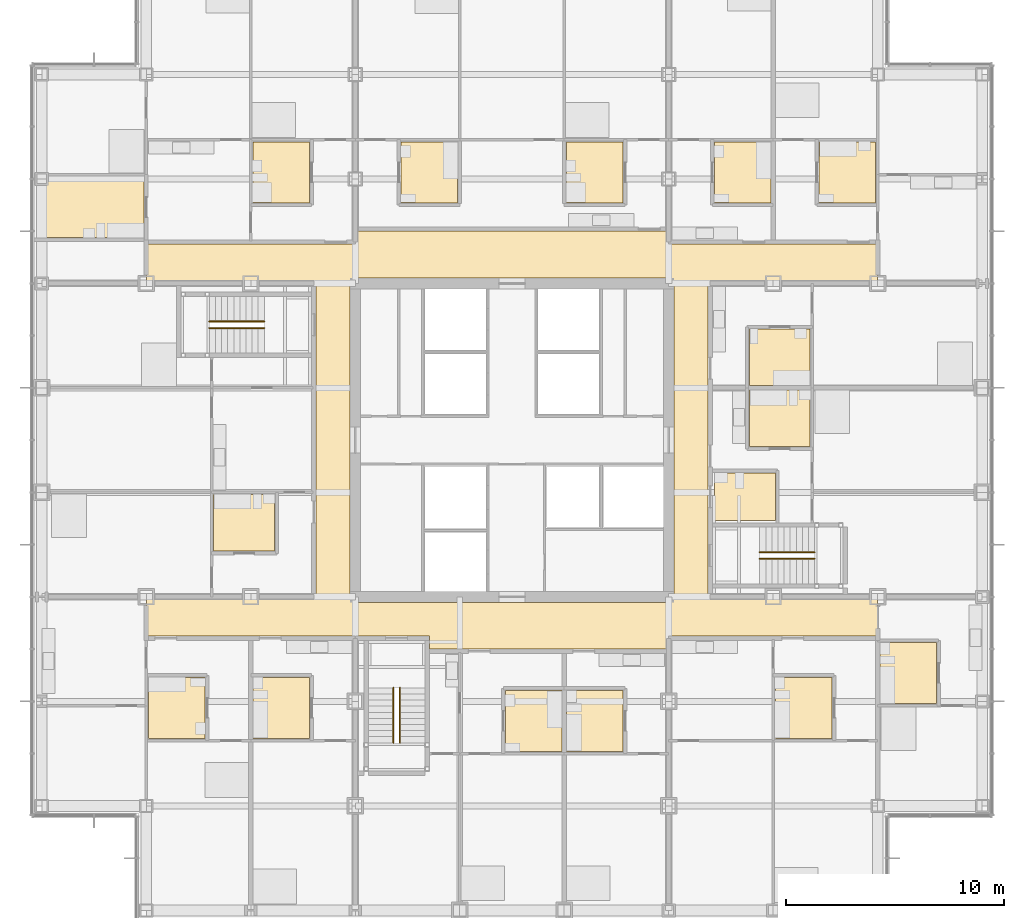
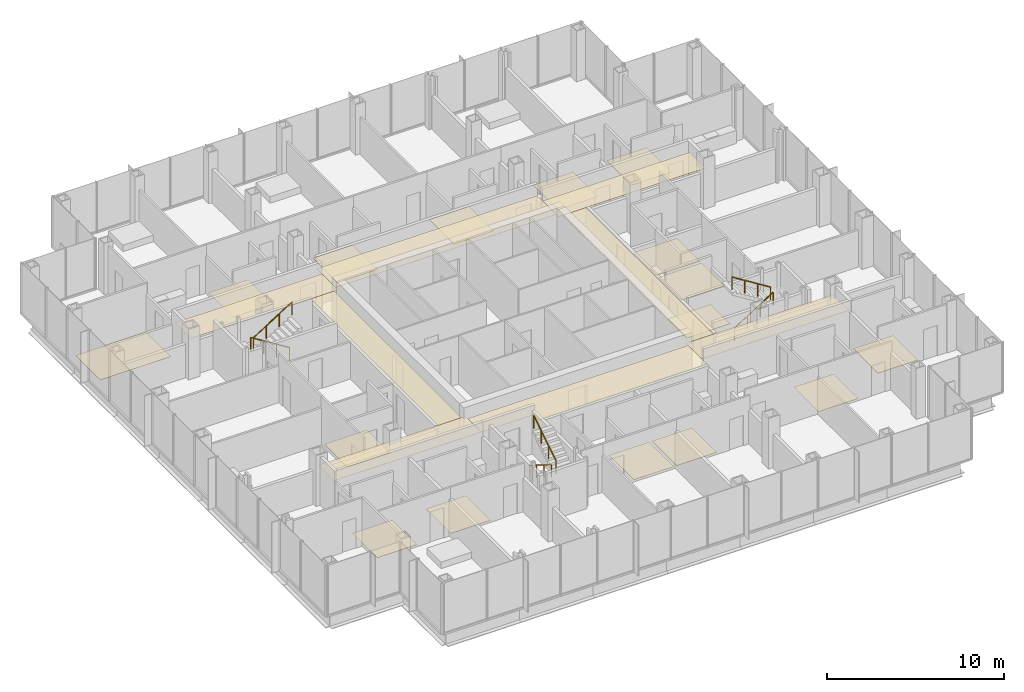
# One storey, part 19 of 21: 24 coverings, 6 railings.
"""IFC4 building model written with IfcOpenShell, lengths in metres."""

from ifc_helpers import new_model, si_unit, direction, frame, origin, origin_2d, place, context, subcontext, project, spatial, polyline, circle, outline, extrude, material, layer, layer_set, type_object, element, save


model = new_model("IFC4")

# Units and contexts
model_context = context("Model", 3, precision=1e-05, world=origin(), true_north=direction((0.0, 1.0)))
body_context = subcontext(model_context, "Body", "Model", "MODEL_VIEW")
ifc_project = project(units=[si_unit("LENGTHUNIT", "METRE"), si_unit("AREAUNIT", "SQUARE_METRE"), si_unit("VOLUMEUNIT", "CUBIC_METRE"), si_unit("PLANEANGLEUNIT", "RADIAN"), si_unit("MASSUNIT", "GRAM", prefix="KILO")], contexts=[model_context])

# Site, building, storey
site_placement = place(None, origin())
site = spatial("IfcSite", under=ifc_project, at=site_placement, CompositionType="ELEMENT")
building_placement = place(site_placement, origin())
building = spatial("IfcBuilding", under=site, at=building_placement, Name="Kvirike Care Tower", CompositionType="ELEMENT")
storey_placement = place(building_placement, frame((0.0, 0.0, 44.5)))
storey = spatial("IfcBuildingStorey", under=building, at=storey_placement, Name="L11", CompositionType="ELEMENT", Elevation=44.5)

# Coverings
ifc_material_1 = material(Name="Perforated metal ceiling tile", Category="aluminium")
ifc_layer_1 = layer(ifc_material_1, 0.014892578125)
ifc_layer_set_1 = layer_set([ifc_layer_1], Name="CORRIDOR CEILING 15")
covering_type_1 = type_object("IfcCoveringType", Name="CORRIDOR CEILING 15", PredefinedType="CEILING", material=ifc_layer_set_1)
covering_1_placement = place(storey_placement, frame((0.0, 0.0, 2.5)))
element("IfcCovering", 1, at=covering_1_placement, inside=storey, type_object=covering_type_1, Name="Corridor ceiling L11", PredefinedType="CEILING", context=body_context, shape_type="SweptSolid", body=[
    extrude(outline(polyline([(4.800048828125, 27.0), (4.800048828125, 28.800048828125), (14.39990234375, 28.800048828125), (14.39990234375, 27.0), (4.800048828125, 27.0)])), origin(), (0.0, 0.0, 1.0), 0.014892578125),
])
covering_2_placement = place(storey_placement, frame((0.0, 0.0, 2.5)))
element("IfcCovering", 2, at=covering_2_placement, inside=storey, type_object=covering_type_1, Name="Corridor ceiling L11", PredefinedType="CEILING", context=body_context, shape_type="SweptSolid", body=[
    extrude(outline(polyline([(12.60009765625, 43.199951171875), (14.14990234375, 43.199951171875), (14.14990234375, 28.800048828125), (12.60009765625, 28.800048828125), (12.60009765625, 43.199951171875)])), origin(), (0.0, 0.0, 1.0), 0.014892578125),
])
covering_3_placement = place(storey_placement, frame((0.0, 0.0, 2.5)))
element("IfcCovering", 3, at=covering_3_placement, inside=storey, type_object=covering_type_1, Name="Corridor ceiling L11", PredefinedType="CEILING", context=body_context, shape_type="SweptSolid", body=[
    extrude(outline(polyline([(14.39990234375, 45.0), (14.39990234375, 43.199951171875), (4.800048828125, 43.199951171875), (4.800048828125, 45.0), (14.39990234375, 45.0)])), origin(), (0.0, 0.0, 1.0), 0.014892578125),
])
covering_4_placement = place(storey_placement, frame((0.0, 0.0, 2.5)))
element("IfcCovering", 4, at=covering_4_placement, inside=storey, type_object=covering_type_1, Name="Corridor ceiling L11", PredefinedType="CEILING", context=body_context, shape_type="SweptSolid", body=[
    extrude(outline(polyline([(14.39990234375, 28.550048828125), (28.800048828125, 28.550048828125), (28.800048828125, 26.39990234375), (17.800048828125, 26.39990234375), (17.800048828125, 27.0), (14.39990234375, 27.0), (14.39990234375, 28.550048828125)])), origin(), (0.0, 0.0, 1.0), 0.014892578125),
])
covering_5_placement = place(storey_placement, frame((0.0, 0.0, 2.5)))
element("IfcCovering", 5, at=covering_5_placement, inside=storey, type_object=covering_type_1, Name="Corridor ceiling L11", PredefinedType="CEILING", context=body_context, shape_type="SweptSolid", body=[
    extrude(outline(polyline([(28.800048828125, 45.60009765625), (28.800048828125, 43.449951171875), (14.39990234375, 43.449951171875), (14.39990234375, 45.60009765625), (28.800048828125, 45.60009765625)])), origin(), (0.0, 0.0, 1.0), 0.014892578125),
])
covering_6_placement = place(storey_placement, frame((0.0, 0.0, 2.5)))
element("IfcCovering", 6, at=covering_6_placement, inside=storey, type_object=covering_type_1, Name="Corridor ceiling L11", PredefinedType="CEILING", context=body_context, shape_type="SweptSolid", body=[
    extrude(outline(polyline([(28.800048828125, 27.0), (28.800048828125, 28.800048828125), (38.39990234375, 28.800048828125), (38.39990234375, 27.0), (28.800048828125, 27.0)])), origin(), (0.0, 0.0, 1.0), 0.014892578125),
])
covering_7_placement = place(storey_placement, frame((0.0, 0.0, 2.5)))
element("IfcCovering", 7, at=covering_7_placement, inside=storey, type_object=covering_type_1, Name="Corridor ceiling L11", PredefinedType="CEILING", context=body_context, shape_type="SweptSolid", body=[
    extrude(outline(polyline([(30.60009765625, 28.800048828125), (29.050048828125, 28.800048828125), (29.050048828125, 43.199951171875), (30.60009765625, 43.199951171875), (30.60009765625, 28.800048828125)])), origin(), (0.0, 0.0, 1.0), 0.014892578125),
])
covering_8_placement = place(storey_placement, frame((0.0, 0.0, 2.5)))
element("IfcCovering", 8, at=covering_8_placement, inside=storey, type_object=covering_type_1, Name="Corridor ceiling L11", PredefinedType="CEILING", context=body_context, shape_type="SweptSolid", body=[
    extrude(outline(polyline([(38.39990234375, 45.0), (38.39990234375, 43.199951171875), (28.800048828125, 43.199951171875), (28.800048828125, 45.0), (38.39990234375, 45.0)])), origin(), (0.0, 0.0, 1.0), 0.014892578125),
])

# Railings
ifc_material_2 = material(Name="Stainless steel handrail", Category="steel")
railing_type = type_object("IfcRailingType", Name="STAIR HANDRAIL 900", PredefinedType="HANDRAIL", material=ifc_material_2)
railing_1_placement = place(storey_placement, frame((10.219970703125, 41.449951171875, 0.175048828125)))
element("IfcRailing", 9, at=railing_1_placement, inside=storey, type_object=railing_type, Name="Stair 1 handrail L11 flight 1", PredefinedType="HANDRAIL", context=body_context, shape_type="SweptSolid", body=[
    extrude(circle(Radius=0.02490234375, at=origin_2d()), frame((0.0, 0.0, 0.875), z_axis=(-0.848007534815, 0.0, 0.529984170421), x_axis=(0.0, -1.0, 0.0)), (0.0, 0.0, 1.0), 2.9716796875),
    extrude(circle(Radius=0.02001953125, at=origin_2d()), origin(), (0.0, 0.0, 1.0), 0.849853515625),
    extrude(circle(Radius=0.02001953125, at=origin_2d()), frame((-0.840087890625, 0.0, 0.52490234375)), (0.0, 0.0, 1.0), 0.849853515625),
    extrude(circle(Radius=0.02001953125, at=origin_2d()), frame((-1.679931640625, 0.0, 1.050048828125)), (0.0, 0.0, 1.0), 0.849853515625),
    extrude(circle(Radius=0.02001953125, at=origin_2d()), frame((-2.52001953125, 0.0, 1.574951171875)), (0.0, 0.0, 1.0), 0.849853515625),
])
for number, where, name in (
    (10, (7.699951171875, 41.14990234375, 1.925048828125), "Stair 1 handrail L11 flight 2"),
    (11, (32.97998046875, 30.550048828125, 0.175048828125), "Stair 2 handrail L11 flight 1"),
):
    element("IfcRailing", number, at=place(storey_placement, frame(where)), inside=storey, type_object=railing_type, Name=name, PredefinedType="HANDRAIL", context=body_context, shape_type="SweptSolid", body=[
        extrude(circle(Radius=0.02490234375, at=origin_2d()), frame((0.0, 0.0, 0.875), z_axis=(0.848007534815, 0.0, 0.529984170421), x_axis=(0.0, 1.0, 0.0)), (0.0, 0.0, 1.0), 2.9716796875),
        extrude(circle(Radius=0.02001953125, at=origin_2d()), origin(), (0.0, 0.0, 1.0), 0.849853515625),
        extrude(circle(Radius=0.02001953125, at=origin_2d()), frame((0.840087890625, 0.0, 0.52490234375)), (0.0, 0.0, 1.0), 0.849853515625),
        extrude(circle(Radius=0.02001953125, at=origin_2d()), frame((1.679931640625, 0.0, 1.050048828125)), (0.0, 0.0, 1.0), 0.849853515625),
        extrude(circle(Radius=0.02001953125, at=origin_2d()), frame((2.52001953125, 0.0, 1.574951171875)), (0.0, 0.0, 1.0), 0.849853515625),
    ])
railing_2_placement = place(storey_placement, frame((35.5, 30.85009765625, 1.925048828125)))
element("IfcRailing", 12, at=railing_2_placement, inside=storey, type_object=railing_type, Name="Stair 2 handrail L11 flight 2", PredefinedType="HANDRAIL", context=body_context, shape_type="SweptSolid", body=[
    extrude(circle(Radius=0.02490234375, at=origin_2d()), frame((0.0, 0.0, 0.875), z_axis=(-0.848007534815, 0.0, 0.529984170421), x_axis=(0.0, -1.0, 0.0)), (0.0, 0.0, 1.0), 2.9716796875),
    extrude(circle(Radius=0.02001953125, at=origin_2d()), origin(), (0.0, 0.0, 1.0), 0.849853515625),
    extrude(circle(Radius=0.02001953125, at=origin_2d()), frame((-0.840087890625, 0.0, 0.52490234375)), (0.0, 0.0, 1.0), 0.849853515625),
    extrude(circle(Radius=0.02001953125, at=origin_2d()), frame((-1.679931640625, 0.0, 1.050048828125)), (0.0, 0.0, 1.0), 0.849853515625),
    extrude(circle(Radius=0.02001953125, at=origin_2d()), frame((-2.52001953125, 0.0, 1.574951171875)), (0.0, 0.0, 1.0), 0.849853515625),
])
railing_3_placement = place(storey_placement, frame((16.14990234375, 24.6201171875, 0.175048828125)))
element("IfcRailing", 13, at=railing_3_placement, inside=storey, type_object=railing_type, Name="Stair 5 handrail L11 flight 1", PredefinedType="HANDRAIL", context=body_context, shape_type="SweptSolid", body=[
    extrude(circle(Radius=0.02490234375, at=origin_2d()), frame((0.0, 0.0, 0.875), z_axis=(0.0, -0.848007534815, 0.529984170421), x_axis=(1.0, 0.0, 0.0)), (0.0, 0.0, 1.0), 2.9716796875),
    extrude(circle(Radius=0.02001953125, at=origin_2d()), origin(), (0.0, 0.0, 1.0), 0.849853515625),
    extrude(circle(Radius=0.02001953125, at=origin_2d()), frame((0.0, -0.840087890625, 0.52490234375)), (0.0, 0.0, 1.0), 0.849853515625),
    extrude(circle(Radius=0.02001953125, at=origin_2d()), frame((0.0, -1.679931640625, 1.050048828125)), (0.0, 0.0, 1.0), 0.849853515625),
    extrude(circle(Radius=0.02001953125, at=origin_2d()), frame((0.0, -2.52001953125, 1.574951171875)), (0.0, 0.0, 1.0), 0.849853515625),
])
railing_4_placement = place(storey_placement, frame((16.449951171875, 22.10009765625, 1.925048828125)))
element("IfcRailing", 14, at=railing_4_placement, inside=storey, type_object=railing_type, Name="Stair 5 handrail L11 flight 2", PredefinedType="HANDRAIL", context=body_context, shape_type="SweptSolid", body=[
    extrude(circle(Radius=0.02490234375, at=origin_2d()), frame((0.0, 0.0, 0.875), z_axis=(0.0, 0.848007534815, 0.529984170421), x_axis=(-1.0, 0.0, 0.0)), (0.0, 0.0, 1.0), 2.9716796875),
    extrude(circle(Radius=0.02001953125, at=origin_2d()), origin(), (0.0, 0.0, 1.0), 0.849853515625),
    extrude(circle(Radius=0.02001953125, at=origin_2d()), frame((0.0, 0.840087890625, 0.52490234375)), (0.0, 0.0, 1.0), 0.849853515625),
    extrude(circle(Radius=0.02001953125, at=origin_2d()), frame((0.0, 1.679931640625, 1.050048828125)), (0.0, 0.0, 1.0), 0.849853515625),
    extrude(circle(Radius=0.02001953125, at=origin_2d()), frame((0.0, 2.52001953125, 1.574951171875)), (0.0, 0.0, 1.0), 0.849853515625),
])

# Coverings
ifc_material_3 = material(Name="Slip-resistant vinyl safety flooring on screed")
ifc_layer_2 = layer(ifc_material_3, 0.02001953125)
ifc_layer_set_2 = layer_set([ifc_layer_2], Name="WET ROOM FLOOR 20")
covering_type_2 = type_object("IfcCoveringType", Name="WET ROOM FLOOR 20", PredefinedType="FLOORING", material=ifc_layer_set_2)
covering_9_placement = place(storey_placement, origin())
element("IfcCovering", 15, at=covering_9_placement, inside=storey, type_object=covering_type_2, Name="Bathroom floor L11-004", PredefinedType="FLOORING", context=body_context, shape_type="SweptSolid", body=[
    extrude(outline(polyline([(4.89990234375, 22.300048828125), (4.89990234375, 25.10009765625), (7.5, 25.10009765625), (7.5, 22.300048828125), (4.89990234375, 22.300048828125)])), origin(), (0.0, 0.0, 1.0), 0.02001953125),
])
covering_10_placement = place(storey_placement, origin())
element("IfcCovering", 16, at=covering_10_placement, inside=storey, type_object=covering_type_2, Name="Bathroom floor L11-008", PredefinedType="FLOORING", context=body_context, shape_type="SweptSolid", body=[
    extrude(outline(polyline([(9.699951171875, 22.300048828125), (9.699951171875, 25.10009765625), (12.300048828125, 25.10009765625), (12.300048828125, 22.300048828125), (9.699951171875, 22.300048828125)])), origin(), (0.0, 0.0, 1.0), 0.02001953125),
])
covering_11_placement = place(storey_placement, origin())
element("IfcCovering", 17, at=covering_11_placement, inside=storey, type_object=covering_type_2, Name="Bathroom floor L11-015", PredefinedType="FLOORING", context=body_context, shape_type="SweptSolid", body=[
    extrude(outline(polyline([(7.89990234375, 33.5), (10.699951171875, 33.5), (10.699951171875, 30.89990234375), (7.89990234375, 30.89990234375), (7.89990234375, 33.5)])), origin(), (0.0, 0.0, 1.0), 0.02001953125),
])
covering_12_placement = place(storey_placement, origin())
element("IfcCovering", 18, at=covering_12_placement, inside=storey, type_object=covering_type_2, Name="Shower room floor L11-023", PredefinedType="FLOORING", context=body_context, shape_type="SweptSolid", body=[
    extrude(outline(polyline([(12.300048828125, 49.699951171875), (12.300048828125, 46.89990234375), (9.699951171875, 46.89990234375), (9.699951171875, 49.699951171875), (12.300048828125, 49.699951171875)])), origin(), (0.0, 0.0, 1.0), 0.02001953125),
])
covering_13_placement = place(storey_placement, origin())
element("IfcCovering", 19, at=covering_13_placement, inside=storey, type_object=covering_type_2, Name="Bathroom floor L11-024", PredefinedType="FLOORING", context=body_context, shape_type="SweptSolid", body=[
    extrude(outline(polyline([(4.699951171875, 48.10009765625), (4.699951171875, 45.300048828125), (0.10009765625, 45.300048828125), (0.10009765625, 48.10009765625), (4.699951171875, 48.10009765625)])), origin(), (0.0, 0.0, 1.0), 0.02001953125),
])
covering_14_placement = place(storey_placement, origin())
element("IfcCovering", 20, at=covering_14_placement, inside=storey, type_object=covering_type_2, Name="Bathroom floor L11-031", PredefinedType="FLOORING", context=body_context, shape_type="SweptSolid", body=[
    extrude(outline(polyline([(21.300048828125, 21.699951171875), (21.300048828125, 24.5), (23.89990234375, 24.5), (23.89990234375, 21.699951171875), (21.300048828125, 21.699951171875)])), origin(), (0.0, 0.0, 1.0), 0.02001953125),
])
covering_15_placement = place(storey_placement, origin())
element("IfcCovering", 21, at=covering_15_placement, inside=storey, type_object=covering_type_2, Name="Bathroom floor L11-035", PredefinedType="FLOORING", context=body_context, shape_type="SweptSolid", body=[
    extrude(outline(polyline([(24.10009765625, 21.699951171875), (24.10009765625, 24.5), (26.699951171875, 24.5), (26.699951171875, 21.699951171875), (24.10009765625, 21.699951171875)])), origin(), (0.0, 0.0, 1.0), 0.02001953125),
])
covering_16_placement = place(storey_placement, origin())
element("IfcCovering", 22, at=covering_16_placement, inside=storey, type_object=covering_type_2, Name="Shower room floor L11-041", PredefinedType="FLOORING", context=body_context, shape_type="SweptSolid", body=[
    extrude(outline(polyline([(26.699951171875, 49.699951171875), (26.699951171875, 46.89990234375), (24.10009765625, 46.89990234375), (24.10009765625, 49.699951171875), (26.699951171875, 49.699951171875)])), origin(), (0.0, 0.0, 1.0), 0.02001953125),
])
covering_17_placement = place(storey_placement, origin())
element("IfcCovering", 23, at=covering_17_placement, inside=storey, type_object=covering_type_2, Name="Bathroom floor L11-042", PredefinedType="FLOORING", context=body_context, shape_type="SweptSolid", body=[
    extrude(outline(polyline([(19.10009765625, 49.699951171875), (19.10009765625, 46.89990234375), (16.5, 46.89990234375), (16.5, 49.699951171875), (19.10009765625, 49.699951171875)])), origin(), (0.0, 0.0, 1.0), 0.02001953125),
])
covering_18_placement = place(storey_placement, origin())
element("IfcCovering", 24, at=covering_18_placement, inside=storey, type_object=covering_type_2, Name="Bathroom floor L11-047", PredefinedType="FLOORING", context=body_context, shape_type="SweptSolid", body=[
    extrude(outline(polyline([(33.699951171875, 22.300048828125), (33.699951171875, 25.10009765625), (36.300048828125, 25.10009765625), (36.300048828125, 22.300048828125), (33.699951171875, 22.300048828125)])), origin(), (0.0, 0.0, 1.0), 0.02001953125),
])
covering_19_placement = place(storey_placement, origin())
element("IfcCovering", 25, at=covering_19_placement, inside=storey, type_object=covering_type_2, Name="Bathroom floor L11-051", PredefinedType="FLOORING", context=body_context, shape_type="SweptSolid", body=[
    extrude(outline(polyline([(38.5, 23.89990234375), (38.5, 26.699951171875), (41.10009765625, 26.699951171875), (41.10009765625, 23.89990234375), (38.5, 23.89990234375)])), origin(), (0.0, 0.0, 1.0), 0.02001953125),
])
covering_20_placement = place(storey_placement, origin())
element("IfcCovering", 26, at=covering_20_placement, inside=storey, type_object=covering_type_2, Name="Accessible WC floor L11-057", PredefinedType="FLOORING", context=body_context, shape_type="SweptSolid", body=[
    extrude(outline(polyline([(33.699951171875, 32.300048828125), (30.89990234375, 32.300048828125), (30.89990234375, 34.5), (33.699951171875, 34.5), (33.699951171875, 32.300048828125)])), origin(), (0.0, 0.0, 1.0), 0.02001953125),
])
covering_21_placement = place(storey_placement, origin())
element("IfcCovering", 27, at=covering_21_placement, inside=storey, type_object=covering_type_2, Name="Bathroom floor L11-058", PredefinedType="FLOORING", context=body_context, shape_type="SweptSolid", body=[
    extrude(outline(polyline([(35.300048828125, 35.699951171875), (32.5, 35.699951171875), (32.5, 38.300048828125), (35.300048828125, 38.300048828125), (35.300048828125, 35.699951171875)])), origin(), (0.0, 0.0, 1.0), 0.02001953125),
])
covering_22_placement = place(storey_placement, origin())
element("IfcCovering", 28, at=covering_22_placement, inside=storey, type_object=covering_type_2, Name="Bathroom floor L11-061", PredefinedType="FLOORING", context=body_context, shape_type="SweptSolid", body=[
    extrude(outline(polyline([(35.300048828125, 38.5), (32.5, 38.5), (32.5, 41.10009765625), (35.300048828125, 41.10009765625), (35.300048828125, 38.5)])), origin(), (0.0, 0.0, 1.0), 0.02001953125),
])
covering_23_placement = place(storey_placement, origin())
element("IfcCovering", 29, at=covering_23_placement, inside=storey, type_object=covering_type_2, Name="Bathroom floor L11-066", PredefinedType="FLOORING", context=body_context, shape_type="SweptSolid", body=[
    extrude(outline(polyline([(38.300048828125, 49.699951171875), (38.300048828125, 46.89990234375), (35.699951171875, 46.89990234375), (35.699951171875, 49.699951171875), (38.300048828125, 49.699951171875)])), origin(), (0.0, 0.0, 1.0), 0.02001953125),
])
covering_24_placement = place(storey_placement, origin())
element("IfcCovering", 30, at=covering_24_placement, inside=storey, type_object=covering_type_2, Name="Bathroom floor L11-070", PredefinedType="FLOORING", context=body_context, shape_type="SweptSolid", body=[
    extrude(outline(polyline([(33.5, 49.699951171875), (33.5, 46.89990234375), (30.89990234375, 46.89990234375), (30.89990234375, 49.699951171875), (33.5, 49.699951171875)])), origin(), (0.0, 0.0, 1.0), 0.02001953125),
])

save(model, "model.ifc")
